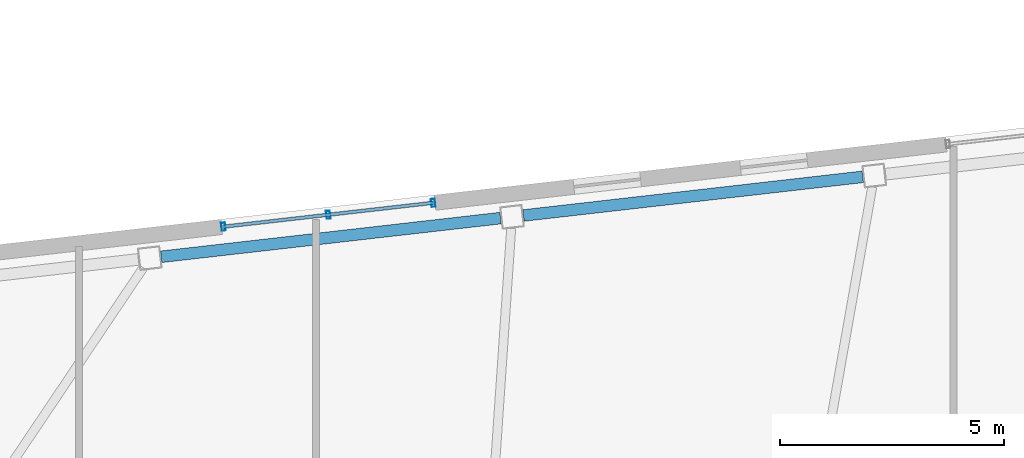
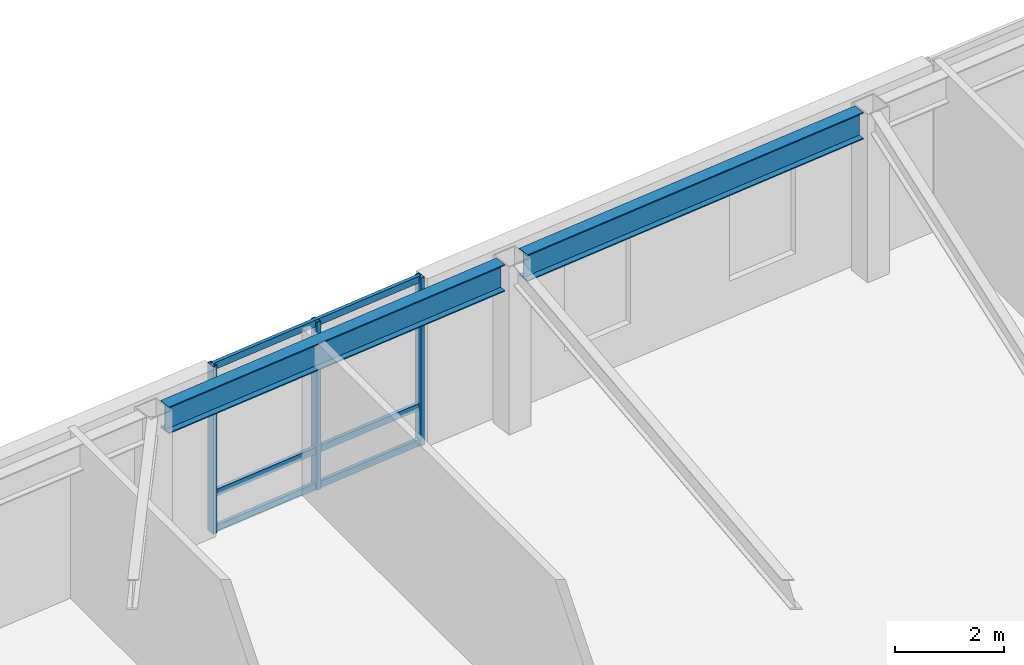
# One storey, part 9 of 19: 6 members, 2 beams, 1 element without a shape of its own.
"""IFC4 building model written with IfcOpenShell, lengths in metres."""

from ifc_helpers import new_model, si_unit, direction, frame, origin, origin_2d, place, context, subcontext, project, spatial, hollow_rectangle, i_section, extrude, material, layer, layer_set, material_profile, profile_set, type_object, element, aggregate, save


model = new_model("IFC4")

# Units and contexts
model_context = context("Model", 3, precision=1e-05, world=origin(), true_north=direction((0.0, 1.0)))
body_context = subcontext(model_context, "Body", "Model", "MODEL_VIEW")
ifc_project = project(units=[si_unit("LENGTHUNIT", "METRE"), si_unit("AREAUNIT", "SQUARE_METRE"), si_unit("VOLUMEUNIT", "CUBIC_METRE"), si_unit("PLANEANGLEUNIT", "RADIAN"), si_unit("MASSUNIT", "GRAM", prefix="KILO")], contexts=[model_context])

# Site, building, storey
site_placement = place(None, origin())
site = spatial("IfcSite", under=ifc_project, at=site_placement, CompositionType="ELEMENT")
building_placement = place(site_placement, origin())
building = spatial("IfcBuilding", under=site, at=building_placement, Name="Tavrogorsk Clinical Tower", CompositionType="ELEMENT")
storey_placement = place(building_placement, frame((0.0, 0.0, 218.199951171875)))
storey = spatial("IfcBuildingStorey", under=building, at=storey_placement, Name="L50", CompositionType="ELEMENT", Elevation=218.199951171875)

# Curtain wall, members
ifc_material_1 = material(Name="Anodised aluminium and triple IGU glazing", Category="aluminium")
ifc_layer = layer(ifc_material_1, 0.179931640625)
ifc_layer_set = layer_set([ifc_layer], Name="Anodised aluminium and triple IGU glazing")
curtain_wall_type = type_object("IfcCurtainWallType", Name="CW2_NorthSlot", PredefinedType="NOTDEFINED", material=ifc_layer_set)
curtain_wall_placement = place(storey_placement, origin())
curtain_wall = element("IfcCurtainWall", 1, at=curtain_wall_placement, inside=storey, type_object=curtain_wall_type, Name="L50 Curtain Wall CW-L50-N-SLOT-1", PredefinedType="NOTDEFINED")
ifc_material_2 = material(Name="Anodised aluminium alloy AW-6060", Category="aluminium")
ifc_material_profile_1 = material_profile(ifc_material_2, hollow_rectangle(XDim=0.090087890625, YDim=0.179931640625, WallThickness=0.00634765625, at=origin_2d()), Name="RHS-180x90x6.3")
ifc_profile_set_1 = profile_set([ifc_material_profile_1], Name="Anodised aluminium alloy AW-6060")
member_type_1 = type_object("IfcMemberType", Name="CwMullion_180x90", PredefinedType="MULLION", material=ifc_profile_set_1)
member_1_placement = place(storey_placement, frame((-10.781982421875, 25.42529296875, 0.0), z_axis=(0.0, 0.0, 1.0), x_axis=(-0.993571855603, -0.11320321441, 0.0)))
member_1 = element("IfcMember", 2, at=member_1_placement, type_object=member_type_1, Name="CW-L50-N-SLOT-1 Mullion 1", PredefinedType="MULLION", context=body_context, shape_type="SweptSolid", body=[
    extrude(hollow_rectangle(XDim=0.090087890625, YDim=0.179931640625, WallThickness=0.00634765625, at=origin_2d()), origin(), (0.0, 0.0, 1.0), 3.739990234375),
])
member_2_placement = place(storey_placement, frame((-13.1259765625, 25.158203125, 0.0), z_axis=(0.0, 0.0, 1.0), x_axis=(-0.993571855603, -0.11320321441, 0.0)))
member_2 = element("IfcMember", 3, at=member_2_placement, type_object=member_type_1, Name="CW-L50-N-SLOT-1 Mullion 2", PredefinedType="MULLION", context=body_context, shape_type="SweptSolid", body=[
    extrude(hollow_rectangle(XDim=0.090087890625, YDim=0.179931640625, WallThickness=0.00634765625, at=origin_2d()), origin(), (0.0, 0.0, 1.0), 3.739990234375),
])
member_3_placement = place(storey_placement, frame((-15.4697265625, 24.89111328125, 0.0), z_axis=(0.0, 0.0, 1.0), x_axis=(-0.993571855603, -0.11320321441, 0.0)))
member_3 = element("IfcMember", 4, at=member_3_placement, type_object=member_type_1, Name="CW-L50-N-SLOT-1 Mullion 3", PredefinedType="MULLION", context=body_context, shape_type="SweptSolid", body=[
    extrude(hollow_rectangle(XDim=0.090087890625, YDim=0.179931640625, WallThickness=0.00634765625, at=origin_2d()), origin(), (0.0, 0.0, 1.0), 3.739990234375),
])
ifc_material_3 = material(Name="Anodised aluminium alloy AW-6060", Category="aluminium")
ifc_material_profile_2 = material_profile(ifc_material_3, hollow_rectangle(XDim=0.074951171875, YDim=0.14990234375, WallThickness=0.0048828125, at=origin_2d()), Name="RHS-150x75x5")
ifc_profile_set_2 = profile_set([ifc_material_profile_2], Name="Anodised aluminium alloy AW-6060")
member_type_2 = type_object("IfcMemberType", Name="CwTransom_150x75", PredefinedType="USERDEFINED", material=ifc_profile_set_2)
member_4_placement = place(storey_placement, frame((-10.781982421875, 25.42529296875, 0.050048828125), z_axis=(-0.993569979218, -0.113219682023, 0.0), x_axis=(0.113219682023, -0.993569979218, 0.0)))
member_4 = element("IfcMember", 5, at=member_4_placement, type_object=member_type_2, Name="CW-L50-N-SLOT-1 Transom 1", ObjectType="TRANSOM", PredefinedType="USERDEFINED", context=body_context, shape_type="SweptSolid", body=[
    extrude(hollow_rectangle(XDim=0.074951171875, YDim=0.14990234375, WallThickness=0.0048828125, at=origin_2d()), origin(), (0.0, 0.0, 1.0), 4.718017578125),
])
member_5_placement = place(storey_placement, frame((-10.781982421875, 25.42529296875, 0.85009765625), z_axis=(-0.993569979218, -0.113219682023, 0.0), x_axis=(0.113219682023, -0.993569979218, 0.0)))
member_5 = element("IfcMember", 6, at=member_5_placement, type_object=member_type_2, Name="CW-L50-N-SLOT-1 Transom 2", ObjectType="TRANSOM", PredefinedType="USERDEFINED", context=body_context, shape_type="SweptSolid", body=[
    extrude(hollow_rectangle(XDim=0.074951171875, YDim=0.14990234375, WallThickness=0.0048828125, at=origin_2d()), origin(), (0.0, 0.0, 1.0), 4.718017578125),
])
member_6_placement = place(storey_placement, frame((-10.781982421875, 25.42529296875, 3.68994140625), z_axis=(-0.993569979218, -0.113219682023, 0.0), x_axis=(0.113219682023, -0.993569979218, 0.0)))
member_6 = element("IfcMember", 7, at=member_6_placement, type_object=member_type_2, Name="CW-L50-N-SLOT-1 Transom 3", ObjectType="TRANSOM", PredefinedType="USERDEFINED", context=body_context, shape_type="SweptSolid", body=[
    extrude(hollow_rectangle(XDim=0.074951171875, YDim=0.14990234375, WallThickness=0.0048828125, at=origin_2d()), origin(), (0.0, 0.0, 1.0), 4.718017578125),
])
aggregate(curtain_wall, [member_1, member_2, member_3, member_4, member_5, member_6])

# Beams
ifc_material_4 = material(Name="Structural steel S390", Category="steel")
ifc_material_profile_3 = material_profile(ifc_material_4, i_section(OverallWidth=0.260009765625, OverallDepth=0.60009765625, WebThickness=0.014892578125, FlangeThickness=0.02392578125, at=origin_2d()), Name="B-600x260x15x24")
ifc_profile_set_3 = profile_set([ifc_material_profile_3], Name="Structural steel S390")
beam_type = type_object("IfcBeamType", Name="SpandrelBeam_B600", PredefinedType="SPANDREL", material=ifc_profile_set_3)
for number, where, z_axis, x_axis, name in (
    (8, (-1.18017578125, 26.006103515625, 3.43994140625), (-0.993568501687, -0.113232647478, 0.0), (0.113232647478, -0.993568501687, 0.0), "L50 Perimeter Spandrel N4-N5"),
    (9, (-9.2763671875, 25.08349609375, 3.43994140625), (-0.993572099834, -0.113201070804, 0.0), (0.113201070804, -0.993572099834, 0.0), "L50 Perimeter Spandrel N5-N6"),
):
    element("IfcBeam", number, at=place(storey_placement, frame(where, z_axis=z_axis, x_axis=x_axis)), inside=storey, type_object=beam_type, Name=name, PredefinedType="SPANDREL", context=body_context, shape_type="SweptSolid", body=[
        extrude(i_section(OverallWidth=0.260009765625, OverallDepth=0.60009765625, WebThickness=0.014892578125, FlangeThickness=0.02392578125, at=origin_2d()), origin(), (0.0, 0.0, 1.0), 7.632568359375),
    ])

save(model, "model.ifc")
